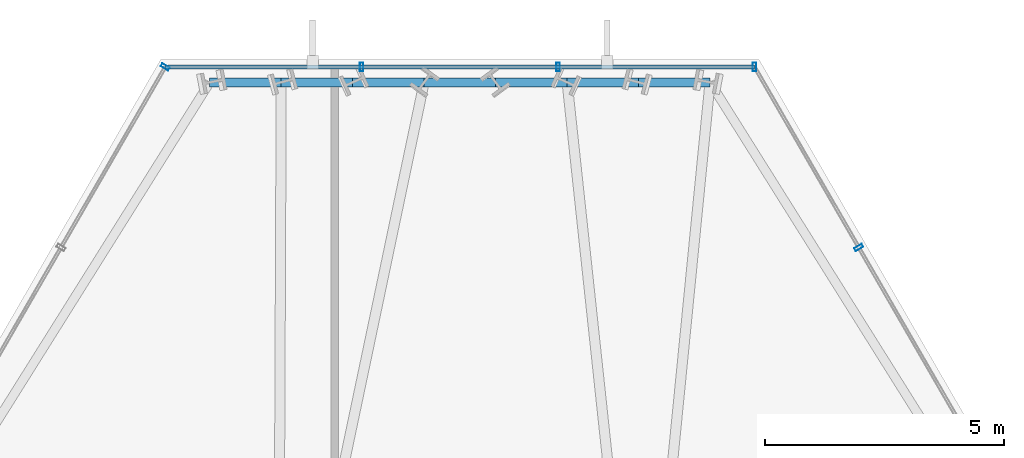
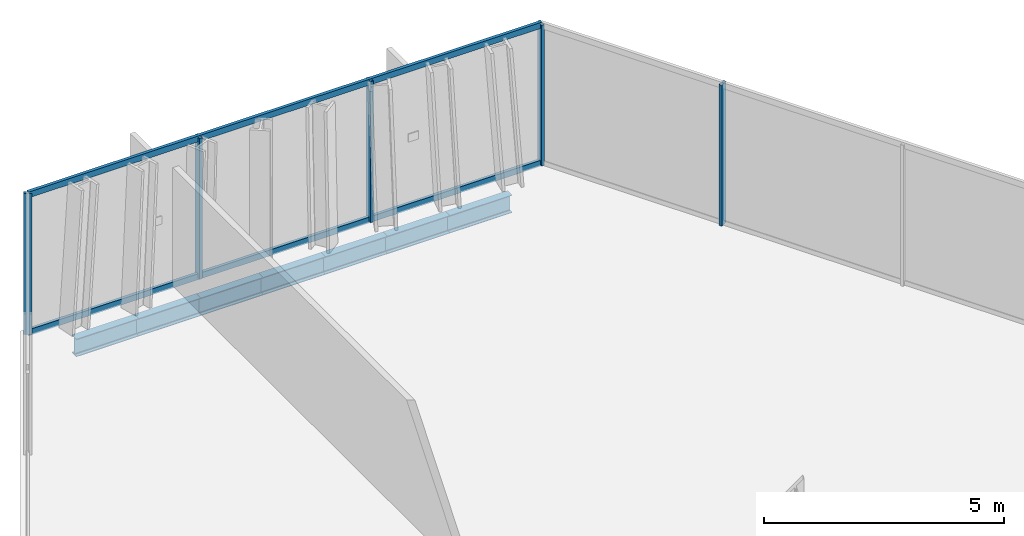
# One storey, part 22 of 32: 7 beams, 7 members, 3 elements without a shape of their own.
"""IFC4 building model written with IfcOpenShell, lengths in metres."""

from ifc_helpers import new_model, si_unit, direction, frame, origin, origin_2d, place, context, subcontext, project, spatial, hollow_rectangle, i_section, extrude, material, layer, layer_set, material_profile, profile_set, type_object, element, aggregate, save


model = new_model("IFC4")

# Units and contexts
model_context = context("Model", 3, precision=1e-05, world=origin(), true_north=direction((0.0, 1.0)))
body_context = subcontext(model_context, "Body", "Model", "MODEL_VIEW")
ifc_project = project(units=[si_unit("LENGTHUNIT", "METRE"), si_unit("AREAUNIT", "SQUARE_METRE"), si_unit("VOLUMEUNIT", "CUBIC_METRE"), si_unit("PLANEANGLEUNIT", "RADIAN"), si_unit("MASSUNIT", "GRAM", prefix="KILO")], contexts=[model_context])

# Site, building, storey
site_placement = place(None, origin())
site = spatial("IfcSite", under=ifc_project, at=site_placement, CompositionType="ELEMENT")
building_placement = place(site_placement, origin())
building = spatial("IfcBuilding", under=site, at=building_placement, Name="Ndaravel Arena Tower", CompositionType="ELEMENT")
storey_placement = place(building_placement, frame((0.0, 0.0, 134.60009765625)))
storey = spatial("IfcBuildingStorey", under=building, at=storey_placement, Name="L31", CompositionType="ELEMENT", Elevation=134.60009765625)

# Beams
ifc_material_1 = material(Name="Steel S355", Category="steel")
ifc_material_profile_1 = material_profile(ifc_material_1, i_section(OverallWidth=0.18994140625, OverallDepth=0.449951171875, WebThickness=0.009521484375, FlangeThickness=0.0146484375, FilletRadius=0.02099609375, at=origin_2d()), Name="IPE 450")
ifc_profile_set_1 = profile_set([ifc_material_profile_1], Name="Steel S355")
beam_type = type_object("IfcBeamType", Name="BM-SPAN-IPE450", PredefinedType="SPANDREL", material=ifc_profile_set_1)
beam_1_placement = place(storey_placement, frame((47.234375, 45.736083984375, -0.445068359375), z_axis=(-1.0, 0.0, 0.0), x_axis=(0.0, -1.0, 0.0)))
element("IfcBeam", 1, at=beam_1_placement, inside=storey, type_object=beam_type, Name="L31 Perimeter Spandrel Beam SP-11", PredefinedType="SPANDREL", context=body_context, shape_type="SweptSolid", body=[
    extrude(i_section(OverallWidth=0.18994140625, OverallDepth=0.449951171875, WebThickness=0.009521484375, FlangeThickness=0.0146484375, FilletRadius=0.02099609375, at=origin_2d()), origin(), (0.0, 0.0, 1.0), 1.49560546875),
])
beam_2_placement = place(storey_placement, frame((45.73876953125, 45.736083984375, -0.445068359375), z_axis=(-1.0, 0.0, 0.0), x_axis=(0.0, -1.0, 0.0)))
element("IfcBeam", 2, at=beam_2_placement, inside=storey, type_object=beam_type, Name="L31 Perimeter Spandrel Beam SP-12", PredefinedType="SPANDREL", context=body_context, shape_type="SweptSolid", body=[
    extrude(i_section(OverallWidth=0.18994140625, OverallDepth=0.449951171875, WebThickness=0.009521484375, FlangeThickness=0.0146484375, FilletRadius=0.02099609375, at=origin_2d()), origin(), (0.0, 0.0, 1.0), 1.495361328125),
])
for number, where, z_axis, x_axis, name in (
    (3, (44.243408203125, 45.736083984375, -0.445068359375), (-1.0, 0.0, 0.0), (0.0, -1.0, 0.0), "L31 Perimeter Spandrel Beam SP-13"),
    (4, (42.747802734375, 45.736083984375, -0.445068359375), (-1.0, 0.0, 0.0), (0.0, -1.0, 0.0), "L31 Perimeter Spandrel Beam SP-14"),
    (5, (41.252197265625, 45.736083984375, -0.445068359375), (-1.0, 0.0, 0.0), (0.0, -1.0, 0.0), "L31 Perimeter Spandrel Beam SP-15"),
):
    element("IfcBeam", number, at=place(storey_placement, frame(where, z_axis=z_axis, x_axis=x_axis)), inside=storey, type_object=beam_type, Name=name, PredefinedType="SPANDREL", context=body_context, shape_type="SweptSolid", body=[
        extrude(i_section(OverallWidth=0.18994140625, OverallDepth=0.449951171875, WebThickness=0.009521484375, FlangeThickness=0.0146484375, FilletRadius=0.02099609375, at=origin_2d()), origin(), (0.0, 0.0, 1.0), 1.49560546875),
    ])
beam_3_placement = place(storey_placement, frame((39.756591796875, 45.736083984375, -0.445068359375), z_axis=(-1.0, 0.0, 0.0), x_axis=(0.0, -1.0, 0.0)))
element("IfcBeam", 6, at=beam_3_placement, inside=storey, type_object=beam_type, Name="L31 Perimeter Spandrel Beam SP-16", PredefinedType="SPANDREL", context=body_context, shape_type="SweptSolid", body=[
    extrude(i_section(OverallWidth=0.18994140625, OverallDepth=0.449951171875, WebThickness=0.009521484375, FlangeThickness=0.0146484375, FilletRadius=0.02099609375, at=origin_2d()), origin(), (0.0, 0.0, 1.0), 1.495361328125),
])
beam_4_placement = place(storey_placement, frame((38.26123046875, 45.736083984375, -0.445068359375), z_axis=(-1.0, 0.0, 0.0), x_axis=(0.0, -1.0, 0.0)))
element("IfcBeam", 7, at=beam_4_placement, inside=storey, type_object=beam_type, Name="L31 Perimeter Spandrel Beam SP-17", PredefinedType="SPANDREL", context=body_context, shape_type="SweptSolid", body=[
    extrude(i_section(OverallWidth=0.18994140625, OverallDepth=0.449951171875, WebThickness=0.009521484375, FlangeThickness=0.0146484375, FilletRadius=0.02099609375, at=origin_2d()), origin(), (0.0, 0.0, 1.0), 1.49560546875),
])

# Curtain wall, member
ifc_material_2 = material(Name="Aluminium", Category="aluminium")
ifc_layer_1 = layer(ifc_material_2, 0.179931640625)
ifc_layer_set_1 = layer_set([ifc_layer_1], Name="Aluminium")
curtain_wall_type_1 = type_object("IfcCurtainWallType", Name="CW-SYS-03", PredefinedType="NOTDEFINED", material=ifc_layer_set_1)
curtain_wall_1_placement = place(storey_placement, origin())
curtain_wall_1 = element("IfcCurtainWall", 8, at=curtain_wall_1_placement, inside=storey, type_object=curtain_wall_type_1, Name="L31 Faceted Crystal Curtain Wall CW-L31-E03", PredefinedType="NOTDEFINED")
ifc_material_3 = material(Name="Aluminium", Category="aluminium")
ifc_material_profile_2 = material_profile(ifc_material_3, hollow_rectangle(XDim=0.074951171875, YDim=0.179931640625, WallThickness=0.00390625, at=origin_2d()), Name="CW MULLION 75x180x4")
ifc_profile_set_2 = profile_set([ifc_material_profile_2], Name="Aluminium")
member_type_1 = type_object("IfcMemberType", Name="MEM-CW-MUL180", PredefinedType="MULLION", material=ifc_profile_set_2)
member_1_placement = place(storey_placement, frame((50.347412109375, 42.279296875, 0.0), z_axis=(0.0, 0.0, 1.0), x_axis=(-0.5, 0.866025403784, 0.0)))
member_1 = element("IfcMember", 9, at=member_1_placement, type_object=member_type_1, Name="CW-L31-E03 Mullion 07", PredefinedType="MULLION", context=body_context, shape_type="SweptSolid", body=[
    extrude(hollow_rectangle(XDim=0.074951171875, YDim=0.179931640625, WallThickness=0.00390625, at=origin_2d()), origin(), (0.0, 0.0, 1.0), 3.579833984375),
])
aggregate(curtain_wall_1, [member_1])

# Curtain wall, members
ifc_material_4 = material(Name="Aluminium", Category="aluminium")
ifc_layer_2 = layer(ifc_material_4, 0.179931640625)
ifc_layer_set_2 = layer_set([ifc_layer_2], Name="Aluminium")
curtain_wall_type_2 = type_object("IfcCurtainWallType", Name="CW-SYS-01", PredefinedType="NOTDEFINED", material=ifc_layer_set_2)
curtain_wall_2_placement = place(storey_placement, origin())
curtain_wall_2 = element("IfcCurtainWall", 10, at=curtain_wall_2_placement, inside=storey, type_object=curtain_wall_type_2, Name="L31 Faceted Crystal Curtain Wall CW-L31-E04", PredefinedType="NOTDEFINED")
member_2_placement = place(storey_placement, frame((48.166748046875, 46.05615234375, 0.0), z_axis=(0.0, 0.0, 1.0), x_axis=(-1.0, 0.0, 0.0)))
member_2 = element("IfcMember", 11, at=member_2_placement, type_object=member_type_1, Name="CW-L31-E04 Mullion 00", PredefinedType="MULLION", context=body_context, shape_type="SweptSolid", body=[
    extrude(hollow_rectangle(XDim=0.074951171875, YDim=0.179931640625, WallThickness=0.00390625, at=origin_2d()), origin(), (0.0, 0.0, 1.0), 3.579833984375),
])
member_3_placement = place(storey_placement, frame((44.0556640625, 46.05615234375, 0.0), z_axis=(0.0, 0.0, 1.0), x_axis=(-1.0, 0.0, 0.0)))
member_3 = element("IfcMember", 12, at=member_3_placement, type_object=member_type_1, Name="CW-L31-E04 Mullion 01", PredefinedType="MULLION", context=body_context, shape_type="SweptSolid", body=[
    extrude(hollow_rectangle(XDim=0.074951171875, YDim=0.179931640625, WallThickness=0.00390625, at=origin_2d()), origin(), (0.0, 0.0, 1.0), 3.579833984375),
])
member_4_placement = place(storey_placement, frame((39.9443359375, 46.05615234375, 0.0), z_axis=(0.0, 0.0, 1.0), x_axis=(-1.0, 0.0, 0.0)))
member_4 = element("IfcMember", 13, at=member_4_placement, type_object=member_type_1, Name="CW-L31-E04 Mullion 02", PredefinedType="MULLION", context=body_context, shape_type="SweptSolid", body=[
    extrude(hollow_rectangle(XDim=0.074951171875, YDim=0.179931640625, WallThickness=0.00390625, at=origin_2d()), origin(), (0.0, 0.0, 1.0), 3.579833984375),
])

# Curtain wall, member
curtain_wall_3_placement = place(storey_placement, origin())
curtain_wall_3 = element("IfcCurtainWall", 14, at=curtain_wall_3_placement, inside=storey, type_object=curtain_wall_type_1, Name="L31 Faceted Crystal Curtain Wall CW-L31-E05", PredefinedType="NOTDEFINED")
member_5_placement = place(storey_placement, frame((35.833251953125, 46.05615234375, 0.0), z_axis=(0.0, 0.0, 1.0), x_axis=(-0.5, -0.866025403784, 0.0)))
member_5 = element("IfcMember", 15, at=member_5_placement, type_object=member_type_1, Name="CW-L31-E05 Mullion 00", PredefinedType="MULLION", context=body_context, shape_type="SweptSolid", body=[
    extrude(hollow_rectangle(XDim=0.074951171875, YDim=0.179931640625, WallThickness=0.00390625, at=origin_2d()), origin(), (0.0, 0.0, 1.0), 3.579833984375),
])
aggregate(curtain_wall_3, [member_5])

# Member
ifc_material_5 = material(Name="Aluminium", Category="aluminium")
ifc_material_profile_3 = material_profile(ifc_material_5, hollow_rectangle(XDim=0.074951171875, YDim=0.14990234375, WallThickness=0.00390625, at=origin_2d()), Name="CW TRANSOM 75x150x4")
ifc_profile_set_3 = profile_set([ifc_material_profile_3], Name="Aluminium")
member_type_2 = type_object("IfcMemberType", Name="MEM-CW-TRN150", PredefinedType="USERDEFINED", material=ifc_profile_set_3)
member_6_placement = place(storey_placement, frame((48.166748046875, 46.05615234375, 0.039794921875), z_axis=(-1.0, 0.0, 0.0), x_axis=(0.0, -1.0, 0.0)))
member_6 = element("IfcMember", 16, at=member_6_placement, type_object=member_type_2, Name="CW-L31-E04 Transom 01", ObjectType="TRANSOM", PredefinedType="USERDEFINED", context=body_context, shape_type="SweptSolid", body=[
    extrude(hollow_rectangle(XDim=0.074951171875, YDim=0.14990234375, WallThickness=0.00390625, at=origin_2d()), origin(), (0.0, 0.0, 1.0), 12.33349609375),
])

member_7_placement = place(storey_placement, frame((48.166748046875, 46.05615234375, 3.539794921875), z_axis=(-1.0, 0.0, 0.0), x_axis=(0.0, -1.0, 0.0)))
member_7 = element("IfcMember", 17, at=member_7_placement, type_object=member_type_2, Name="CW-L31-E04 Transom 02", ObjectType="TRANSOM", PredefinedType="USERDEFINED", context=body_context, shape_type="SweptSolid", body=[
    extrude(hollow_rectangle(XDim=0.074951171875, YDim=0.14990234375, WallThickness=0.00390625, at=origin_2d()), origin(), (0.0, 0.0, 1.0), 12.33349609375),
])

aggregate(curtain_wall_2, [member_2, member_3, member_4, member_6, member_7])

save(model, "model.ifc")
